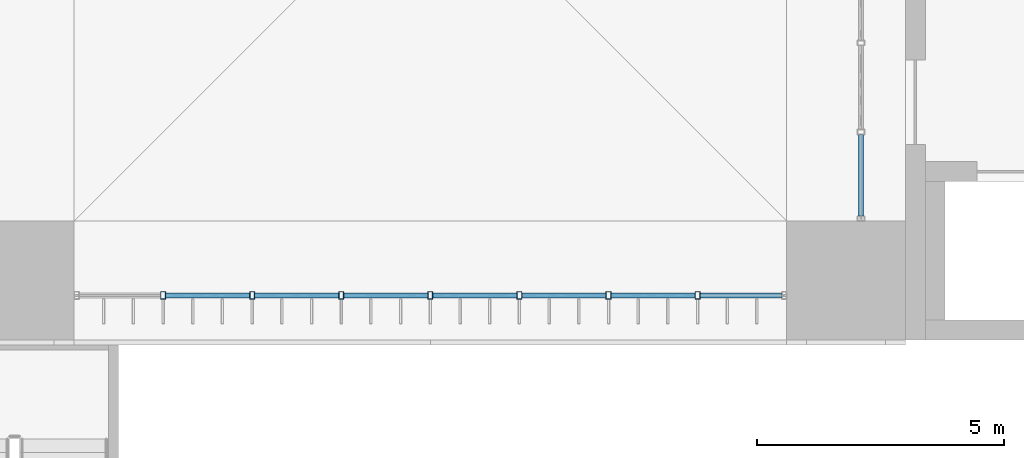
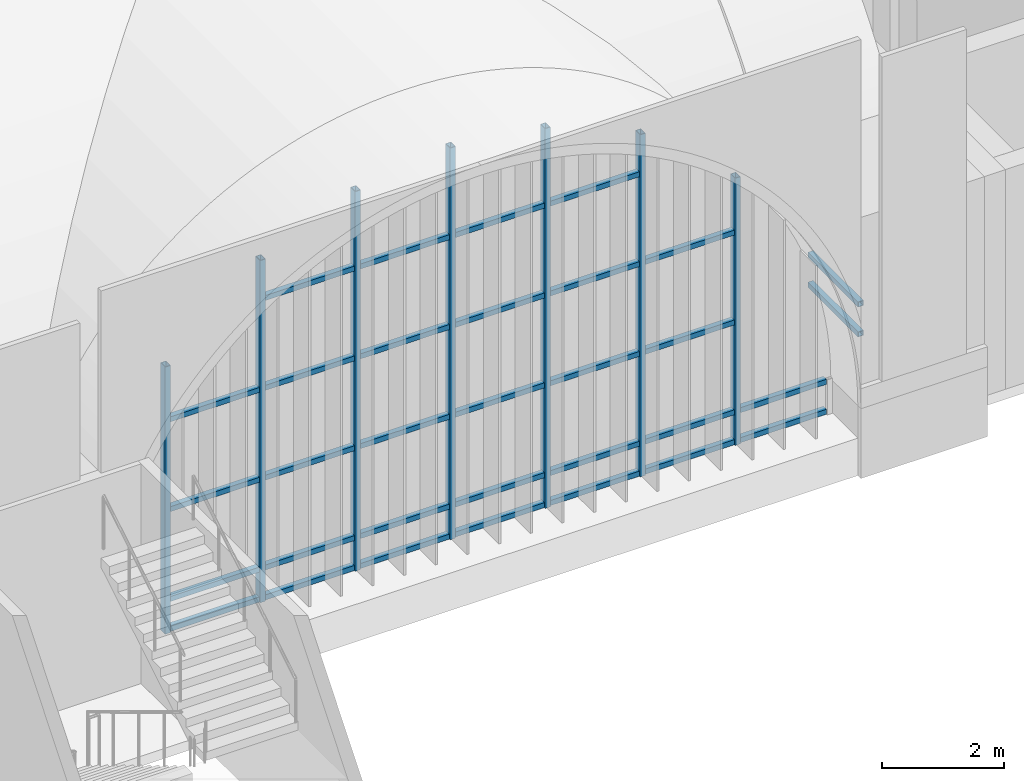
# One storey, part 51 of 169: 39 members, 2 elements without a shape of their own.
"""IFC4 building model written with IfcOpenShell, lengths in metres."""

from ifc_helpers import new_model, si_unit, direction, frame, origin, origin_2d, place, context, subcontext, project, spatial, hollow_rectangle, extrude, material, layer, layer_set, material_profile, profile_set, type_object, element, aggregate, save


model = new_model("IFC4")

# Units and contexts
model_context = context("Model", 3, precision=1e-05, world=origin(), true_north=direction((0.0, 1.0)))
body_context = subcontext(model_context, "Body", "Model", "MODEL_VIEW")
ifc_project = project(units=[si_unit("LENGTHUNIT", "METRE"), si_unit("AREAUNIT", "SQUARE_METRE"), si_unit("VOLUMEUNIT", "CUBIC_METRE"), si_unit("PLANEANGLEUNIT", "RADIAN"), si_unit("MASSUNIT", "GRAM", prefix="KILO")], contexts=[model_context])

# Site, building, storey
site_placement = place(None, origin())
site = spatial("IfcSite", under=ifc_project, at=site_placement, CompositionType="ELEMENT")
building_placement = place(site_placement, origin())
building = spatial("IfcBuilding", under=site, at=building_placement, Name="Verrick Yard Athletic Hall", CompositionType="ELEMENT")
storey_placement = place(building_placement, frame((0.0, 0.0, 4.39990234375)))
storey = spatial("IfcBuildingStorey", under=building, at=storey_placement, Name="L01", CompositionType="ELEMENT", Elevation=4.39990234375)

# Curtain wall, members
ifc_material_1 = material(Name="Aluminium and glass curtain wall", Category="aluminium")
ifc_layer_1 = layer(ifc_material_1, 0.14990234375)
ifc_layer_set_1 = layer_set([ifc_layer_1], Name="Arcade glazing arch")
curtain_wall_type_1 = type_object("IfcCurtainWallType", Name="Arcade glazing arch", PredefinedType="NOTDEFINED", material=ifc_layer_set_1)
curtain_wall_1_placement = place(storey_placement, origin())
curtain_wall_1 = element("IfcCurtainWall", 1, at=curtain_wall_1_placement, inside=storey, type_object=curtain_wall_type_1, Name="Arcade glazing S7", PredefinedType="NOTDEFINED")
ifc_material_2 = material(Name="Structural steel HSS Class C 350W (CSA G40.20/G40.21)", Category="steel")
ifc_material_profile_1 = material_profile(ifc_material_2, hollow_rectangle(XDim=0.1015625, YDim=0.15234375, WallThickness=0.008056640625, at=origin_2d()), Name="HSS152x102x7.9")
ifc_profile_set_1 = profile_set([ifc_material_profile_1], Name="Structural steel HSS Class C 350W (CSA G40.20/G40.21)")
member_type_1 = type_object("IfcMemberType", Name="Curtain wall mullion HSS152x102x7.9", PredefinedType="MULLION", material=ifc_profile_set_1)
member_1_placement = place(storey_placement, frame((143.800048828125, 18.89990234375, 0.0), z_axis=(0.0, 0.0, 1.0), x_axis=(1.0, 0.0, 0.0)))
member_1 = element("IfcMember", 2, at=member_1_placement, type_object=member_type_1, Name="Arcade glazing S7 mullion 2", PredefinedType="MULLION", context=body_context, shape_type="SweptSolid", body=[
    extrude(hollow_rectangle(XDim=0.1015625, YDim=0.15234375, WallThickness=0.008056640625, at=origin_2d()), origin(), (0.0, 0.0, 1.0), 5.351806640625),
])
member_2_placement = place(storey_placement, frame((145.60009765625, 18.89990234375, 0.0), z_axis=(0.0, 0.0, 1.0), x_axis=(1.0, 0.0, 0.0)))
member_2 = element("IfcMember", 3, at=member_2_placement, type_object=member_type_1, Name="Arcade glazing S7 mullion 3", PredefinedType="MULLION", context=body_context, shape_type="SweptSolid", body=[
    extrude(hollow_rectangle(XDim=0.1015625, YDim=0.15234375, WallThickness=0.008056640625, at=origin_2d()), origin(), (0.0, 0.0, 1.0), 6.8544921875),
])
member_3_placement = place(storey_placement, frame((147.39990234375, 18.89990234375, 0.0), z_axis=(0.0, 0.0, 1.0), x_axis=(1.0, 0.0, 0.0)))
member_3 = element("IfcMember", 4, at=member_3_placement, type_object=member_type_1, Name="Arcade glazing S7 mullion 4", PredefinedType="MULLION", context=body_context, shape_type="SweptSolid", body=[
    extrude(hollow_rectangle(XDim=0.1015625, YDim=0.15234375, WallThickness=0.008056640625, at=origin_2d()), origin(), (0.0, 0.0, 1.0), 7.607666015625),
])
member_4_placement = place(storey_placement, frame((149.199951171875, 18.89990234375, 0.0), z_axis=(0.0, 0.0, 1.0), x_axis=(1.0, 0.0, 0.0)))
member_4 = element("IfcMember", 5, at=member_4_placement, type_object=member_type_1, Name="Arcade glazing S7 mullion 5", PredefinedType="MULLION", context=body_context, shape_type="SweptSolid", body=[
    extrude(hollow_rectangle(XDim=0.1015625, YDim=0.15234375, WallThickness=0.008056640625, at=origin_2d()), origin(), (0.0, 0.0, 1.0), 7.8486328125),
])
member_5_placement = place(storey_placement, frame((151.0, 18.89990234375, 0.0), z_axis=(0.0, 0.0, 1.0), x_axis=(1.0, 0.0, 0.0)))
member_5 = element("IfcMember", 6, at=member_5_placement, type_object=member_type_1, Name="Arcade glazing S7 mullion 6", PredefinedType="MULLION", context=body_context, shape_type="SweptSolid", body=[
    extrude(hollow_rectangle(XDim=0.1015625, YDim=0.15234375, WallThickness=0.008056640625, at=origin_2d()), origin(), (0.0, 0.0, 1.0), 7.607666015625),
])
member_6_placement = place(storey_placement, frame((152.800048828125, 18.89990234375, 0.0), z_axis=(0.0, 0.0, 1.0), x_axis=(1.0, 0.0, 0.0)))
member_6 = element("IfcMember", 7, at=member_6_placement, type_object=member_type_1, Name="Arcade glazing S7 mullion 7", PredefinedType="MULLION", context=body_context, shape_type="SweptSolid", body=[
    extrude(hollow_rectangle(XDim=0.1015625, YDim=0.15234375, WallThickness=0.008056640625, at=origin_2d()), origin(), (0.0, 0.0, 1.0), 6.8544921875),
])
member_7_placement = place(storey_placement, frame((154.60009765625, 18.89990234375, 0.0), z_axis=(0.0, 0.0, 1.0), x_axis=(1.0, 0.0, 0.0)))
member_7 = element("IfcMember", 8, at=member_7_placement, type_object=member_type_1, Name="Arcade glazing S7 mullion 8", PredefinedType="MULLION", context=body_context, shape_type="SweptSolid", body=[
    extrude(hollow_rectangle(XDim=0.1015625, YDim=0.15234375, WallThickness=0.008056640625, at=origin_2d()), origin(), (0.0, 0.0, 1.0), 5.351806640625),
])
ifc_material_profile_2 = material_profile(ifc_material_2, hollow_rectangle(XDim=0.1015625, YDim=0.1015625, WallThickness=0.00634765625, at=origin_2d()), Name="HSS102x102x6.4")
ifc_profile_set_2 = profile_set([ifc_material_profile_2], Name="Structural steel HSS Class C 350W (CSA G40.20/G40.21)")
member_type_2 = type_object("IfcMemberType", Name="Curtain wall transom HSS102x102x6.4", PredefinedType="USERDEFINED", material=ifc_profile_set_2)
member_8_placement = place(storey_placement, frame((143.850830078125, 18.89990234375, 0.05078125), z_axis=(1.0, 0.0, 0.0), x_axis=(0.0, 1.0, 0.0)))
member_8 = element("IfcMember", 9, at=member_8_placement, type_object=member_type_2, Name="Arcade glazing S7 transom 3", ObjectType="TRANSOM", PredefinedType="USERDEFINED", context=body_context, shape_type="SweptSolid", body=[
    extrude(hollow_rectangle(XDim=0.1015625, YDim=0.1015625, WallThickness=0.00634765625, at=origin_2d()), origin(), (0.0, 0.0, 1.0), 1.698486328125),
])
member_9_placement = place(storey_placement, frame((143.850830078125, 18.89990234375, 0.650146484375), z_axis=(1.0, 0.0, 0.0), x_axis=(0.0, 1.0, 0.0)))
member_9 = element("IfcMember", 10, at=member_9_placement, type_object=member_type_2, Name="Arcade glazing S7 transom 4", ObjectType="TRANSOM", PredefinedType="USERDEFINED", context=body_context, shape_type="SweptSolid", body=[
    extrude(hollow_rectangle(XDim=0.1015625, YDim=0.1015625, WallThickness=0.00634765625, at=origin_2d()), origin(), (0.0, 0.0, 1.0), 1.698486328125),
])
member_10_placement = place(storey_placement, frame((143.850830078125, 18.89990234375, 2.4501953125), z_axis=(1.0, 0.0, 0.0), x_axis=(0.0, 1.0, 0.0)))
member_10 = element("IfcMember", 11, at=member_10_placement, type_object=member_type_2, Name="Arcade glazing S7 transom 5", ObjectType="TRANSOM", PredefinedType="USERDEFINED", context=body_context, shape_type="SweptSolid", body=[
    extrude(hollow_rectangle(XDim=0.1015625, YDim=0.1015625, WallThickness=0.00634765625, at=origin_2d()), origin(), (0.0, 0.0, 1.0), 1.698486328125),
])
member_11_placement = place(storey_placement, frame((143.850830078125, 18.89990234375, 4.25), z_axis=(1.0, 0.0, 0.0), x_axis=(0.0, 1.0, 0.0)))
member_11 = element("IfcMember", 12, at=member_11_placement, type_object=member_type_2, Name="Arcade glazing S7 transom 6", ObjectType="TRANSOM", PredefinedType="USERDEFINED", context=body_context, shape_type="SweptSolid", body=[
    extrude(hollow_rectangle(XDim=0.1015625, YDim=0.1015625, WallThickness=0.00634765625, at=origin_2d()), origin(), (0.0, 0.0, 1.0), 1.698486328125),
])
member_12_placement = place(storey_placement, frame((145.65087890625, 18.89990234375, 0.05078125), z_axis=(1.0, 0.0, 0.0), x_axis=(0.0, 1.0, 0.0)))
member_12 = element("IfcMember", 13, at=member_12_placement, type_object=member_type_2, Name="Arcade glazing S7 transom 7", ObjectType="TRANSOM", PredefinedType="USERDEFINED", context=body_context, shape_type="SweptSolid", body=[
    extrude(hollow_rectangle(XDim=0.1015625, YDim=0.1015625, WallThickness=0.00634765625, at=origin_2d()), origin(), (0.0, 0.0, 1.0), 1.6982421875),
])
member_13_placement = place(storey_placement, frame((145.65087890625, 18.89990234375, 0.650146484375), z_axis=(1.0, 0.0, 0.0), x_axis=(0.0, 1.0, 0.0)))
member_13 = element("IfcMember", 14, at=member_13_placement, type_object=member_type_2, Name="Arcade glazing S7 transom 8", ObjectType="TRANSOM", PredefinedType="USERDEFINED", context=body_context, shape_type="SweptSolid", body=[
    extrude(hollow_rectangle(XDim=0.1015625, YDim=0.1015625, WallThickness=0.00634765625, at=origin_2d()), origin(), (0.0, 0.0, 1.0), 1.6982421875),
])
member_14_placement = place(storey_placement, frame((145.65087890625, 18.89990234375, 2.4501953125), z_axis=(1.0, 0.0, 0.0), x_axis=(0.0, 1.0, 0.0)))
member_14 = element("IfcMember", 15, at=member_14_placement, type_object=member_type_2, Name="Arcade glazing S7 transom 9", ObjectType="TRANSOM", PredefinedType="USERDEFINED", context=body_context, shape_type="SweptSolid", body=[
    extrude(hollow_rectangle(XDim=0.1015625, YDim=0.1015625, WallThickness=0.00634765625, at=origin_2d()), origin(), (0.0, 0.0, 1.0), 1.6982421875),
])
member_15_placement = place(storey_placement, frame((145.65087890625, 18.89990234375, 4.25), z_axis=(1.0, 0.0, 0.0), x_axis=(0.0, 1.0, 0.0)))
member_15 = element("IfcMember", 16, at=member_15_placement, type_object=member_type_2, Name="Arcade glazing S7 transom 10", ObjectType="TRANSOM", PredefinedType="USERDEFINED", context=body_context, shape_type="SweptSolid", body=[
    extrude(hollow_rectangle(XDim=0.1015625, YDim=0.1015625, WallThickness=0.00634765625, at=origin_2d()), origin(), (0.0, 0.0, 1.0), 1.6982421875),
])
member_16_placement = place(storey_placement, frame((145.65087890625, 18.89990234375, 6.050048828125), z_axis=(1.0, 0.0, 0.0), x_axis=(0.0, 1.0, 0.0)))
member_16 = element("IfcMember", 17, at=member_16_placement, type_object=member_type_2, Name="Arcade glazing S7 transom 11", ObjectType="TRANSOM", PredefinedType="USERDEFINED", context=body_context, shape_type="SweptSolid", body=[
    extrude(hollow_rectangle(XDim=0.1015625, YDim=0.1015625, WallThickness=0.00634765625, at=origin_2d()), origin(), (0.0, 0.0, 1.0), 1.6982421875),
])
member_17_placement = place(storey_placement, frame((147.45068359375, 18.89990234375, 0.05078125), z_axis=(1.0, 0.0, 0.0), x_axis=(0.0, 1.0, 0.0)))
member_17 = element("IfcMember", 18, at=member_17_placement, type_object=member_type_2, Name="Arcade glazing S7 transom 12", ObjectType="TRANSOM", PredefinedType="USERDEFINED", context=body_context, shape_type="SweptSolid", body=[
    extrude(hollow_rectangle(XDim=0.1015625, YDim=0.1015625, WallThickness=0.00634765625, at=origin_2d()), origin(), (0.0, 0.0, 1.0), 1.698486328125),
])
member_18_placement = place(storey_placement, frame((147.45068359375, 18.89990234375, 0.650146484375), z_axis=(1.0, 0.0, 0.0), x_axis=(0.0, 1.0, 0.0)))
member_18 = element("IfcMember", 19, at=member_18_placement, type_object=member_type_2, Name="Arcade glazing S7 transom 13", ObjectType="TRANSOM", PredefinedType="USERDEFINED", context=body_context, shape_type="SweptSolid", body=[
    extrude(hollow_rectangle(XDim=0.1015625, YDim=0.1015625, WallThickness=0.00634765625, at=origin_2d()), origin(), (0.0, 0.0, 1.0), 1.698486328125),
])
member_19_placement = place(storey_placement, frame((147.45068359375, 18.89990234375, 2.4501953125), z_axis=(1.0, 0.0, 0.0), x_axis=(0.0, 1.0, 0.0)))
member_19 = element("IfcMember", 20, at=member_19_placement, type_object=member_type_2, Name="Arcade glazing S7 transom 14", ObjectType="TRANSOM", PredefinedType="USERDEFINED", context=body_context, shape_type="SweptSolid", body=[
    extrude(hollow_rectangle(XDim=0.1015625, YDim=0.1015625, WallThickness=0.00634765625, at=origin_2d()), origin(), (0.0, 0.0, 1.0), 1.698486328125),
])
member_20_placement = place(storey_placement, frame((147.45068359375, 18.89990234375, 4.25), z_axis=(1.0, 0.0, 0.0), x_axis=(0.0, 1.0, 0.0)))
member_20 = element("IfcMember", 21, at=member_20_placement, type_object=member_type_2, Name="Arcade glazing S7 transom 15", ObjectType="TRANSOM", PredefinedType="USERDEFINED", context=body_context, shape_type="SweptSolid", body=[
    extrude(hollow_rectangle(XDim=0.1015625, YDim=0.1015625, WallThickness=0.00634765625, at=origin_2d()), origin(), (0.0, 0.0, 1.0), 1.698486328125),
])
member_21_placement = place(storey_placement, frame((147.45068359375, 18.89990234375, 6.050048828125), z_axis=(1.0, 0.0, 0.0), x_axis=(0.0, 1.0, 0.0)))
member_21 = element("IfcMember", 22, at=member_21_placement, type_object=member_type_2, Name="Arcade glazing S7 transom 16", ObjectType="TRANSOM", PredefinedType="USERDEFINED", context=body_context, shape_type="SweptSolid", body=[
    extrude(hollow_rectangle(XDim=0.1015625, YDim=0.1015625, WallThickness=0.00634765625, at=origin_2d()), origin(), (0.0, 0.0, 1.0), 1.698486328125),
])
member_22_placement = place(storey_placement, frame((149.250732421875, 18.89990234375, 0.05078125), z_axis=(1.0, 0.0, 0.0), x_axis=(0.0, 1.0, 0.0)))
member_22 = element("IfcMember", 23, at=member_22_placement, type_object=member_type_2, Name="Arcade glazing S7 transom 17", ObjectType="TRANSOM", PredefinedType="USERDEFINED", context=body_context, shape_type="SweptSolid", body=[
    extrude(hollow_rectangle(XDim=0.1015625, YDim=0.1015625, WallThickness=0.00634765625, at=origin_2d()), origin(), (0.0, 0.0, 1.0), 1.698486328125),
])
member_23_placement = place(storey_placement, frame((149.250732421875, 18.89990234375, 0.650146484375), z_axis=(1.0, 0.0, 0.0), x_axis=(0.0, 1.0, 0.0)))
member_23 = element("IfcMember", 24, at=member_23_placement, type_object=member_type_2, Name="Arcade glazing S7 transom 18", ObjectType="TRANSOM", PredefinedType="USERDEFINED", context=body_context, shape_type="SweptSolid", body=[
    extrude(hollow_rectangle(XDim=0.1015625, YDim=0.1015625, WallThickness=0.00634765625, at=origin_2d()), origin(), (0.0, 0.0, 1.0), 1.698486328125),
])
member_24_placement = place(storey_placement, frame((149.250732421875, 18.89990234375, 2.4501953125), z_axis=(1.0, 0.0, 0.0), x_axis=(0.0, 1.0, 0.0)))
member_24 = element("IfcMember", 25, at=member_24_placement, type_object=member_type_2, Name="Arcade glazing S7 transom 19", ObjectType="TRANSOM", PredefinedType="USERDEFINED", context=body_context, shape_type="SweptSolid", body=[
    extrude(hollow_rectangle(XDim=0.1015625, YDim=0.1015625, WallThickness=0.00634765625, at=origin_2d()), origin(), (0.0, 0.0, 1.0), 1.698486328125),
])
member_25_placement = place(storey_placement, frame((149.250732421875, 18.89990234375, 4.25), z_axis=(1.0, 0.0, 0.0), x_axis=(0.0, 1.0, 0.0)))
member_25 = element("IfcMember", 26, at=member_25_placement, type_object=member_type_2, Name="Arcade glazing S7 transom 20", ObjectType="TRANSOM", PredefinedType="USERDEFINED", context=body_context, shape_type="SweptSolid", body=[
    extrude(hollow_rectangle(XDim=0.1015625, YDim=0.1015625, WallThickness=0.00634765625, at=origin_2d()), origin(), (0.0, 0.0, 1.0), 1.698486328125),
])
member_26_placement = place(storey_placement, frame((149.250732421875, 18.89990234375, 6.050048828125), z_axis=(1.0, 0.0, 0.0), x_axis=(0.0, 1.0, 0.0)))
member_26 = element("IfcMember", 27, at=member_26_placement, type_object=member_type_2, Name="Arcade glazing S7 transom 21", ObjectType="TRANSOM", PredefinedType="USERDEFINED", context=body_context, shape_type="SweptSolid", body=[
    extrude(hollow_rectangle(XDim=0.1015625, YDim=0.1015625, WallThickness=0.00634765625, at=origin_2d()), origin(), (0.0, 0.0, 1.0), 1.698486328125),
])
member_27_placement = place(storey_placement, frame((151.05078125, 18.89990234375, 0.05078125), z_axis=(1.0, 0.0, 0.0), x_axis=(0.0, 1.0, 0.0)))
member_27 = element("IfcMember", 28, at=member_27_placement, type_object=member_type_2, Name="Arcade glazing S7 transom 22", ObjectType="TRANSOM", PredefinedType="USERDEFINED", context=body_context, shape_type="SweptSolid", body=[
    extrude(hollow_rectangle(XDim=0.1015625, YDim=0.1015625, WallThickness=0.00634765625, at=origin_2d()), origin(), (0.0, 0.0, 1.0), 1.698486328125),
])
member_28_placement = place(storey_placement, frame((151.05078125, 18.89990234375, 0.650146484375), z_axis=(1.0, 0.0, 0.0), x_axis=(0.0, 1.0, 0.0)))
member_28 = element("IfcMember", 29, at=member_28_placement, type_object=member_type_2, Name="Arcade glazing S7 transom 23", ObjectType="TRANSOM", PredefinedType="USERDEFINED", context=body_context, shape_type="SweptSolid", body=[
    extrude(hollow_rectangle(XDim=0.1015625, YDim=0.1015625, WallThickness=0.00634765625, at=origin_2d()), origin(), (0.0, 0.0, 1.0), 1.698486328125),
])
member_29_placement = place(storey_placement, frame((151.05078125, 18.89990234375, 2.4501953125), z_axis=(1.0, 0.0, 0.0), x_axis=(0.0, 1.0, 0.0)))
member_29 = element("IfcMember", 30, at=member_29_placement, type_object=member_type_2, Name="Arcade glazing S7 transom 24", ObjectType="TRANSOM", PredefinedType="USERDEFINED", context=body_context, shape_type="SweptSolid", body=[
    extrude(hollow_rectangle(XDim=0.1015625, YDim=0.1015625, WallThickness=0.00634765625, at=origin_2d()), origin(), (0.0, 0.0, 1.0), 1.698486328125),
])
member_30_placement = place(storey_placement, frame((151.05078125, 18.89990234375, 4.25), z_axis=(1.0, 0.0, 0.0), x_axis=(0.0, 1.0, 0.0)))
member_30 = element("IfcMember", 31, at=member_30_placement, type_object=member_type_2, Name="Arcade glazing S7 transom 25", ObjectType="TRANSOM", PredefinedType="USERDEFINED", context=body_context, shape_type="SweptSolid", body=[
    extrude(hollow_rectangle(XDim=0.1015625, YDim=0.1015625, WallThickness=0.00634765625, at=origin_2d()), origin(), (0.0, 0.0, 1.0), 1.698486328125),
])
member_31_placement = place(storey_placement, frame((151.05078125, 18.89990234375, 6.050048828125), z_axis=(1.0, 0.0, 0.0), x_axis=(0.0, 1.0, 0.0)))
member_31 = element("IfcMember", 32, at=member_31_placement, type_object=member_type_2, Name="Arcade glazing S7 transom 26", ObjectType="TRANSOM", PredefinedType="USERDEFINED", context=body_context, shape_type="SweptSolid", body=[
    extrude(hollow_rectangle(XDim=0.1015625, YDim=0.1015625, WallThickness=0.00634765625, at=origin_2d()), origin(), (0.0, 0.0, 1.0), 1.698486328125),
])
member_32_placement = place(storey_placement, frame((152.850830078125, 18.89990234375, 0.05078125), z_axis=(1.0, 0.0, 0.0), x_axis=(0.0, 1.0, 0.0)))
member_32 = element("IfcMember", 33, at=member_32_placement, type_object=member_type_2, Name="Arcade glazing S7 transom 27", ObjectType="TRANSOM", PredefinedType="USERDEFINED", context=body_context, shape_type="SweptSolid", body=[
    extrude(hollow_rectangle(XDim=0.1015625, YDim=0.1015625, WallThickness=0.00634765625, at=origin_2d()), origin(), (0.0, 0.0, 1.0), 1.698486328125),
])
member_33_placement = place(storey_placement, frame((152.850830078125, 18.89990234375, 0.650146484375), z_axis=(1.0, 0.0, 0.0), x_axis=(0.0, 1.0, 0.0)))
member_33 = element("IfcMember", 34, at=member_33_placement, type_object=member_type_2, Name="Arcade glazing S7 transom 28", ObjectType="TRANSOM", PredefinedType="USERDEFINED", context=body_context, shape_type="SweptSolid", body=[
    extrude(hollow_rectangle(XDim=0.1015625, YDim=0.1015625, WallThickness=0.00634765625, at=origin_2d()), origin(), (0.0, 0.0, 1.0), 1.698486328125),
])
member_34_placement = place(storey_placement, frame((152.850830078125, 18.89990234375, 2.4501953125), z_axis=(1.0, 0.0, 0.0), x_axis=(0.0, 1.0, 0.0)))
member_34 = element("IfcMember", 35, at=member_34_placement, type_object=member_type_2, Name="Arcade glazing S7 transom 29", ObjectType="TRANSOM", PredefinedType="USERDEFINED", context=body_context, shape_type="SweptSolid", body=[
    extrude(hollow_rectangle(XDim=0.1015625, YDim=0.1015625, WallThickness=0.00634765625, at=origin_2d()), origin(), (0.0, 0.0, 1.0), 1.698486328125),
])
member_35_placement = place(storey_placement, frame((152.850830078125, 18.89990234375, 4.25), z_axis=(1.0, 0.0, 0.0), x_axis=(0.0, 1.0, 0.0)))
member_35 = element("IfcMember", 36, at=member_35_placement, type_object=member_type_2, Name="Arcade glazing S7 transom 30", ObjectType="TRANSOM", PredefinedType="USERDEFINED", context=body_context, shape_type="SweptSolid", body=[
    extrude(hollow_rectangle(XDim=0.1015625, YDim=0.1015625, WallThickness=0.00634765625, at=origin_2d()), origin(), (0.0, 0.0, 1.0), 1.698486328125),
])
member_36_placement = place(storey_placement, frame((154.65087890625, 18.89990234375, 0.05078125), z_axis=(1.0, 0.0, 0.0), x_axis=(0.0, 1.0, 0.0)))
member_36 = element("IfcMember", 37, at=member_36_placement, type_object=member_type_2, Name="Arcade glazing S7 transom 31", ObjectType="TRANSOM", PredefinedType="USERDEFINED", context=body_context, shape_type="SweptSolid", body=[
    extrude(hollow_rectangle(XDim=0.1015625, YDim=0.1015625, WallThickness=0.00634765625, at=origin_2d()), origin(), (0.0, 0.0, 1.0), 1.64697265625),
])
member_37_placement = place(storey_placement, frame((154.65087890625, 18.89990234375, 0.650146484375), z_axis=(1.0, 0.0, 0.0), x_axis=(0.0, 1.0, 0.0)))
member_37 = element("IfcMember", 38, at=member_37_placement, type_object=member_type_2, Name="Arcade glazing S7 transom 32", ObjectType="TRANSOM", PredefinedType="USERDEFINED", context=body_context, shape_type="SweptSolid", body=[
    extrude(hollow_rectangle(XDim=0.1015625, YDim=0.1015625, WallThickness=0.00634765625, at=origin_2d()), origin(), (0.0, 0.0, 1.0), 1.64697265625),
])
aggregate(curtain_wall_1, [member_1, member_2, member_3, member_4, member_5, member_6, member_7, member_8, member_9, member_10, member_11, member_12, member_13, member_14, member_15, member_16, member_17, member_18, member_19, member_20, member_21, member_22, member_23, member_24, member_25, member_26, member_27, member_28, member_29, member_30, member_31, member_32, member_33, member_34, member_35, member_36, member_37])

ifc_layer_2 = layer(ifc_material_1, 0.14990234375)
ifc_layer_set_2 = layer_set([ifc_layer_2], Name="East end glazing arch")
curtain_wall_type_2 = type_object("IfcCurtainWallType", Name="East end glazing arch", PredefinedType="NOTDEFINED", material=ifc_layer_set_2)
curtain_wall_2_placement = place(storey_placement, origin())
curtain_wall_2 = element("IfcCurtainWall", 39, at=curtain_wall_2_placement, inside=storey, type_object=curtain_wall_type_2, Name="East end glazing 1", PredefinedType="NOTDEFINED")
member_38_placement = place(storey_placement, frame((157.89990234375, 20.502197265625, 0.05078125), z_axis=(0.0, 1.0, 0.0), x_axis=(-1.0, 0.0, 0.0)))
member_38 = element("IfcMember", 40, at=member_38_placement, type_object=member_type_2, Name="East end glazing 1 transom 1", ObjectType="TRANSOM", PredefinedType="USERDEFINED", context=body_context, shape_type="SweptSolid", body=[
    extrude(hollow_rectangle(XDim=0.1015625, YDim=0.1015625, WallThickness=0.00634765625, at=origin_2d()), origin(), (0.0, 0.0, 1.0), 1.64697265625),
])
member_39_placement = place(storey_placement, frame((157.89990234375, 20.502197265625, 0.650146484375), z_axis=(0.0, 1.0, 0.0), x_axis=(-1.0, 0.0, 0.0)))
member_39 = element("IfcMember", 41, at=member_39_placement, type_object=member_type_2, Name="East end glazing 1 transom 2", ObjectType="TRANSOM", PredefinedType="USERDEFINED", context=body_context, shape_type="SweptSolid", body=[
    extrude(hollow_rectangle(XDim=0.1015625, YDim=0.1015625, WallThickness=0.00634765625, at=origin_2d()), origin(), (0.0, 0.0, 1.0), 1.64697265625),
])
aggregate(curtain_wall_2, [member_38, member_39])

save(model, "model.ifc")
